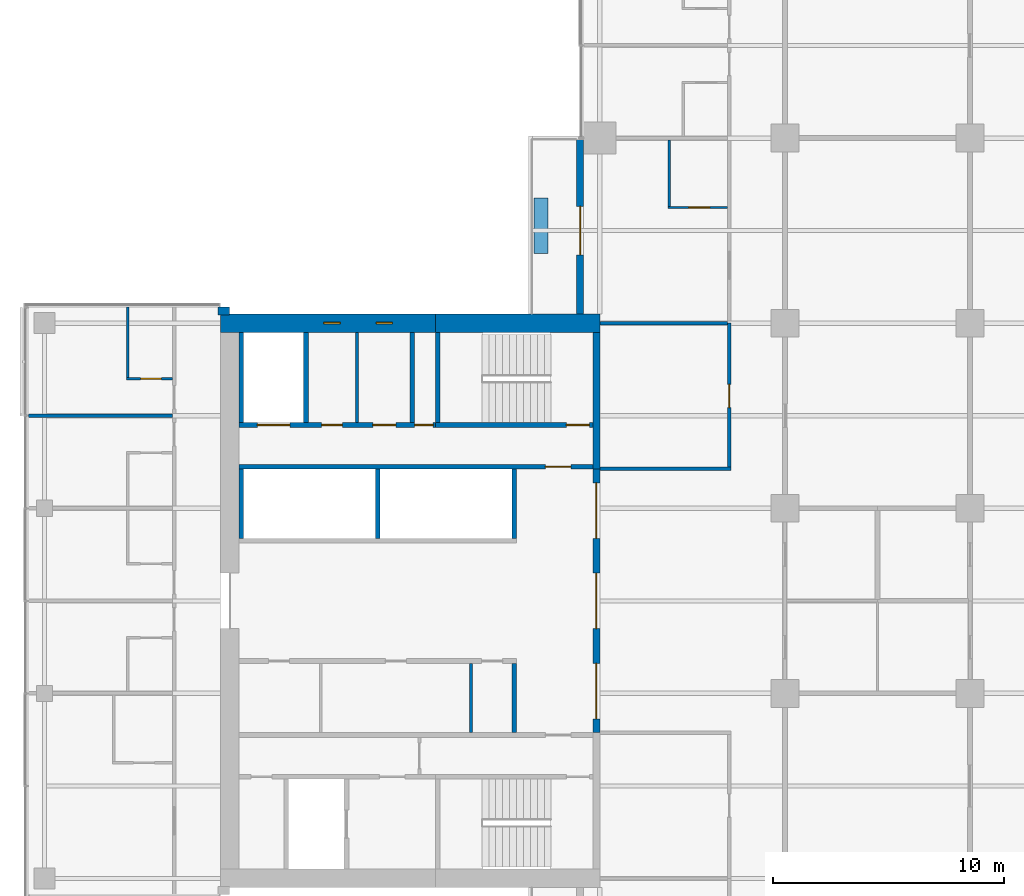
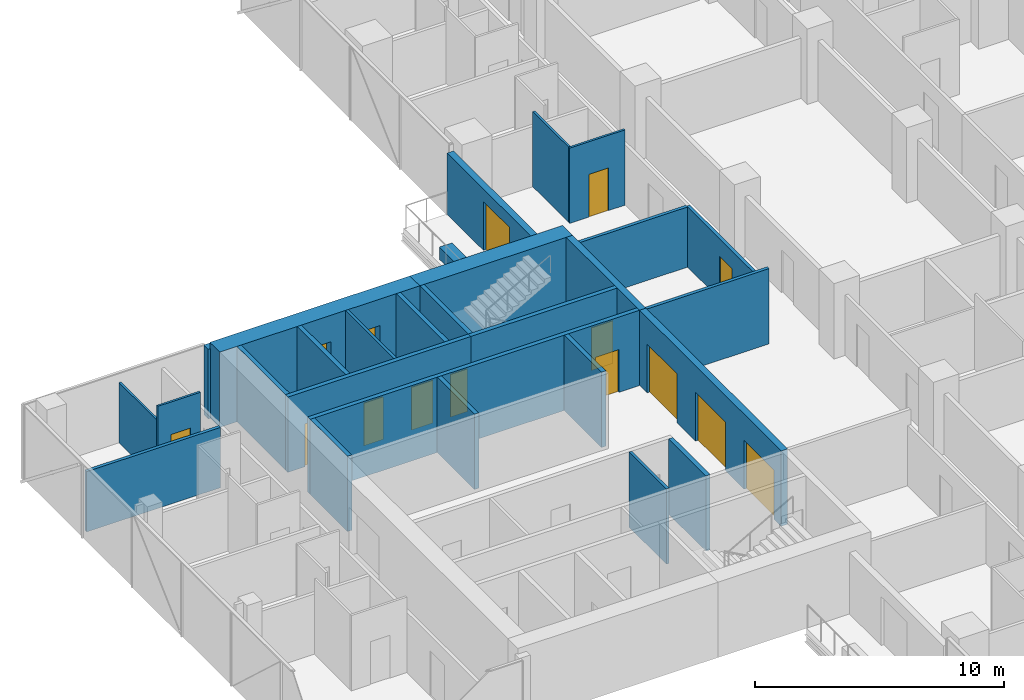
# One storey, part 18 of 27: 28 walls, 13 doors, 2 windows, 15 openings.
"""IFC4 building model written with IfcOpenShell, lengths in metres."""

from ifc_helpers import new_model, si_unit, direction, frame, frame_2d, origin, place, context, subcontext, project, spatial, rectangle, extrude, material, layer, layer_set, constituent, constituent_set, type_object, element, fill, save


model = new_model("IFC4")

# Units and contexts
model_context = context("Model", 3, precision=1e-05, world=origin(), true_north=direction((0.0, 1.0)))
body_context = subcontext(model_context, "Body", "Model", "MODEL_VIEW")
ifc_project = project(units=[si_unit("LENGTHUNIT", "METRE"), si_unit("AREAUNIT", "SQUARE_METRE"), si_unit("VOLUMEUNIT", "CUBIC_METRE"), si_unit("PLANEANGLEUNIT", "RADIAN"), si_unit("MASSUNIT", "GRAM", prefix="KILO")], contexts=[model_context])

# Site, building, storey
site_placement = place(None, origin())
site = spatial("IfcSite", under=ifc_project, at=site_placement, CompositionType="ELEMENT")
building_placement = place(site_placement, origin())
building = spatial("IfcBuilding", under=site, at=building_placement, Name="Crosswind Convention Tower", CompositionType="ELEMENT")
storey_placement = place(building_placement, frame((0.0, 0.0, 90.5)))
storey = spatial("IfcBuildingStorey", under=building, at=storey_placement, Name="L17", CompositionType="ELEMENT", Elevation=90.5)

# Walls
ifc_material_1 = material(Name="Concrete blockwork", Category="masonry")
ifc_layer_1 = layer(ifc_material_1, 0.199951171875)
ifc_layer_set_1 = layer_set([ifc_layer_1], Name="Blockwork partition wall 200")
wall_type_1 = type_object("IfcWallType", Name="Blockwork partition wall 200", PredefinedType="PARTITIONING", material=ifc_layer_set_1)
wall_1_placement = place(storey_placement, frame((104.89990234375, 111.60009765625, 0.0), z_axis=(0.0, 0.0, 1.0), x_axis=(0.0, -1.0, 0.0)))
element("IfcWall", 1, at=wall_1_placement, inside=storey, type_object=wall_type_1, Name="Wall MRSE W L17", PredefinedType="PARTITIONING", context=body_context, shape_type="SweptSolid", body=[
    extrude(rectangle(XDim=3.900146484375, YDim=0.199951171875, at=frame_2d((1.9501953125, 0.0))), origin(), (0.0, 0.0, 1.0), 3.699951171875),
])
ifc_material_2 = material(Name="Plasterboard partition", Category="gypsum")
ifc_layer_2 = layer(ifc_material_2, 0.14990234375)
ifc_layer_set_2 = layer_set([ifc_layer_2], Name="CORRIDOR WALL 150")
wall_type_2 = type_object("IfcWallType", Name="CORRIDOR WALL 150", PredefinedType="PARTITIONING", material=ifc_layer_set_2)
wall_2_placement = place(storey_placement, frame((113.0, 105.699951171875, 0.0), z_axis=(0.0, 0.0, 1.0), x_axis=(1.0, 0.0, 0.0)))
element("IfcWall", 2, at=wall_2_placement, inside=storey, type_object=wall_type_2, Name="Corridor Wall 41", PredefinedType="PARTITIONING", context=body_context, shape_type="SweptSolid", body=[
    extrude(rectangle(XDim=5.675048828125, YDim=0.14990234375, at=frame_2d((2.83740234375, 0.0))), origin(), (0.0, 0.0, 1.0), 3.699951171875),
])

# Wall, opening, door
wall_3_placement = place(storey_placement, frame((118.60009765625, 105.77490234375, 0.0), z_axis=(0.0, 0.0, 1.0), x_axis=(0.0, 1.0, 0.0)))
wall_3 = element("IfcWall", 3, at=wall_3_placement, inside=storey, type_object=wall_type_2, Name="Corridor Wall 81", PredefinedType="PARTITIONING", context=body_context, shape_type="SweptSolid", body=[
    extrude(rectangle(XDim=6.22509765625, YDim=0.14990234375, at=frame_2d((3.112548828125, 0.0))), origin(), (0.0, 0.0, 1.0), 2.956298828125),
])
opening_1_placement = place(wall_3_placement, frame((2.574951171875, 0.0, 0.0)))
opening_1 = element("IfcOpeningElement", 4, at=opening_1_placement, cuts=wall_3, Name="Opening 17.003", PredefinedType="OPENING", context=body_context, shape_type="SweptSolid", body=[
    extrude(rectangle(XDim=1.0, YDim=2.10009765625, at=frame_2d((0.5, 1.050048828125))), frame((0.0, 0.0849609375, 0.0), z_axis=(0.0, -1.0, 0.0), x_axis=(1.0, 0.0, 0.0)), (0.0, 0.0, 1.0), 0.169921875),
])
ifc_material_3 = material(Name="Timber fire door", Category="wood")
door_type_1 = type_object("IfcDoorType", Name="SERVICE ROOM DOOR 1000X2100", OperationType="NOTDEFINED", PredefinedType="DOOR", material=ifc_material_3)
door_1_placement = place(opening_1_placement, origin())
door_1 = element("IfcDoor", 5, at=door_1_placement, inside=storey, type_object=door_type_1, Name="Door 17.003", ObjectType="D3", OperationType="SINGLE_SWING_RIGHT", OverallHeight=2.10009765625, OverallWidth=1.0, PredefinedType="DOOR", context=body_context, shape_type="SweptSolid", body=[
    extrude(rectangle(XDim=1.0, YDim=2.10009765625, at=frame_2d((0.5, 1.050048828125))), frame((0.0, 0.02490234375, 0.0), z_axis=(0.0, -1.0, 0.0), x_axis=(1.0, 0.0, 0.0)), (0.0, 0.0, 1.0), 0.050048828125),
])
fill(opening_1, door_1)

# Wall, openings, doors
ifc_material_4 = material(Name="Concrete C50/60", Category="concrete")
ifc_layer_3 = layer(ifc_material_4, 0.300048828125)
ifc_layer_set_3 = layer_set([ifc_layer_3], Name="Concrete C50/60")
wall_type_3 = type_object("IfcWallType", Name="Concrete inner core wall 300", PredefinedType="SHEAR", material=ifc_layer_set_3)
wall_4_placement = place(storey_placement, frame((112.85009765625, 105.699951171875, 0.0), z_axis=(0.0, 0.0, 1.0), x_axis=(0.0, -1.0, 0.0)))
wall_4 = element("IfcWall", 6, at=wall_4_placement, inside=storey, type_object=wall_type_3, Name="Wall SCR W L17", PredefinedType="SHEAR", context=body_context, shape_type="SweptSolid", body=[
    extrude(rectangle(XDim=11.39990234375, YDim=0.300048828125, at=frame_2d((5.699951171875, 0.0))), origin(), (0.0, 0.0, 1.0), 3.699951171875),
])
opening_2_placement = place(wall_4_placement, frame((0.60009765625, 0.0, 0.0)))
opening_2 = element("IfcOpeningElement", 7, at=opening_2_placement, cuts=wall_4, Name="Opening D100", PredefinedType="OPENING", context=body_context, shape_type="SweptSolid", body=[
    extrude(rectangle(XDim=2.39990234375, YDim=2.39990234375, at=frame_2d((1.199951171875, 1.199951171875))), frame((0.0, 0.159912109375, 0.0), z_axis=(0.0, -1.0, 0.0), x_axis=(1.0, 0.0, 0.0)), (0.0, 0.0, 1.0), 0.320068359375),
])
opening_3_placement = place(wall_4_placement, frame((4.5, 0.0, 0.0)))
opening_3 = element("IfcOpeningElement", 8, at=opening_3_placement, cuts=wall_4, Name="Opening D100", PredefinedType="OPENING", context=body_context, shape_type="SweptSolid", body=[
    extrude(rectangle(XDim=2.39990234375, YDim=2.39990234375, at=frame_2d((1.199951171875, 1.199951171875))), frame((0.0, 0.159912109375, 0.0), z_axis=(0.0, -1.0, 0.0), x_axis=(1.0, 0.0, 0.0)), (0.0, 0.0, 1.0), 0.320068359375),
])
opening_4_placement = place(wall_4_placement, frame((8.39990234375, 0.0, 0.0)))
opening_4 = element("IfcOpeningElement", 9, at=opening_4_placement, cuts=wall_4, Name="Opening D100", PredefinedType="OPENING", context=body_context, shape_type="SweptSolid", body=[
    extrude(rectangle(XDim=2.39990234375, YDim=2.39990234375, at=frame_2d((1.199951171875, 1.199951171875))), frame((0.0, 0.159912109375, 0.0), z_axis=(0.0, -1.0, 0.0), x_axis=(1.0, 0.0, 0.0)), (0.0, 0.0, 1.0), 0.320068359375),
])
ifc_material_5 = material(Name="Steel fire door with glazed vision panels", Category="steel")
door_type_2 = type_object("IfcDoorType", Name="Fire-rated double door 2400x2400", OperationType="DOUBLE_DOOR_SINGLE_SWING", PredefinedType="DOOR", material=ifc_material_5)
door_2_placement = place(opening_2_placement, origin())
door_2 = element("IfcDoor", 10, at=door_2_placement, inside=storey, type_object=door_type_2, Name="Lobby door 1 L17", ObjectType="D100", OperationType="DOUBLE_DOOR_SINGLE_SWING", OverallHeight=2.39990234375, OverallWidth=2.39990234375, PredefinedType="DOOR", context=body_context, shape_type="SweptSolid", body=[
    extrude(rectangle(XDim=2.39990234375, YDim=2.39990234375, at=frame_2d((1.199951171875, 1.199951171875))), frame((0.0, 0.02490234375, 0.0), z_axis=(0.0, -1.0, 0.0), x_axis=(1.0, 0.0, 0.0)), (0.0, 0.0, 1.0), 0.050048828125),
])
fill(opening_2, door_2)
door_3_placement = place(opening_3_placement, origin())
door_3 = element("IfcDoor", 11, at=door_3_placement, inside=storey, type_object=door_type_2, Name="Lobby door 2 L17", ObjectType="D100", OperationType="DOUBLE_DOOR_SINGLE_SWING", OverallHeight=2.39990234375, OverallWidth=2.39990234375, PredefinedType="DOOR", context=body_context, shape_type="SweptSolid", body=[
    extrude(rectangle(XDim=2.39990234375, YDim=2.39990234375, at=frame_2d((1.199951171875, 1.199951171875))), frame((0.0, 0.02490234375, 0.0), z_axis=(0.0, -1.0, 0.0), x_axis=(1.0, 0.0, 0.0)), (0.0, 0.0, 1.0), 0.050048828125),
])
fill(opening_3, door_3)
door_4_placement = place(opening_4_placement, origin())
door_4 = element("IfcDoor", 12, at=door_4_placement, inside=storey, type_object=door_type_2, Name="Lobby door 3 L17", ObjectType="D100", OperationType="DOUBLE_DOOR_SINGLE_SWING", OverallHeight=2.39990234375, OverallWidth=2.39990234375, PredefinedType="DOOR", context=body_context, shape_type="SweptSolid", body=[
    extrude(rectangle(XDim=2.39990234375, YDim=2.39990234375, at=frame_2d((1.199951171875, 1.199951171875))), frame((0.0, 0.02490234375, 0.0), z_axis=(0.0, -1.0, 0.0), x_axis=(1.0, 0.0, 0.0)), (0.0, 0.0, 1.0), 0.050048828125),
])
fill(opening_4, door_4)

# Walls
wall_5_placement = place(storey_placement, frame((112.85009765625, 111.60009765625, 0.0), z_axis=(0.0, 0.0, 1.0), x_axis=(0.0, -1.0, 0.0)))
element("IfcWall", 13, at=wall_5_placement, inside=storey, type_object=wall_type_3, Name="Wall EM W L17", PredefinedType="SHEAR", context=body_context, shape_type="SweptSolid", body=[
    extrude(rectangle(XDim=5.900146484375, YDim=0.300048828125, at=frame_2d((2.9501953125, 0.0))), origin(), (0.0, 0.0, 1.0), 3.699951171875),
])
ifc_layer_4 = layer(ifc_material_4, 0.199951171875)
ifc_layer_set_4 = layer_set([ifc_layer_4], Name="Concrete C50/60")
wall_type_4 = type_object("IfcWallType", Name="Concrete shaft and stair wall 200", PredefinedType="SHEAR", material=ifc_layer_set_4)
for number, where, z_axis, x_axis, name in (
    (14, (109.300048828125, 97.300048828125, 0.0), (0.0, 0.0, 1.0), (0.0, -1.0, 0.0), "Wall RPEND W L17"),
    (15, (109.300048828125, 105.699951171875, 0.0), (0.0, 0.0, 1.0), (0.0, -1.0, 0.0), "Wall RMEND W L17"),
    (16, (103.39990234375, 105.699951171875, 0.0), (0.0, 0.0, 1.0), (0.0, -1.0, 0.0), "Wall RMSEP W L17"),
    (17, (97.5, 105.699951171875, 0.0), (0.0, 0.0, 1.0), (0.0, -1.0, 0.0), "Wall RMEAST W L17"),
):
    element("IfcWall", number, at=place(storey_placement, frame(where, z_axis=z_axis, x_axis=x_axis)), inside=storey, type_object=wall_type_4, Name=name, PredefinedType="SHEAR", context=body_context, shape_type="SweptSolid", body=[
        extrude(rectangle(XDim=3.0, YDim=0.199951171875, at=frame_2d((1.5, 0.0))), origin(), (0.0, 0.0, 1.0), 3.699951171875),
    ])

# Wall, opening, door
wall_6_placement = place(storey_placement, frame((112.699951171875, 105.800048828125, 0.0), z_axis=(0.0, 0.0, 1.0), x_axis=(-1.0, 0.0, 0.0)))
wall_6 = element("IfcWall", 18, at=wall_6_placement, inside=storey, type_object=wall_type_4, Name="Wall HM W L17", PredefinedType="SHEAR", context=body_context, shape_type="SweptSolid", body=[
    extrude(rectangle(XDim=15.300048828125, YDim=0.199951171875, at=frame_2d((7.64990234375, 0.0))), origin(), (0.0, 0.0, 1.0), 3.699951171875),
])
opening_5_placement = place(wall_6_placement, frame((0.949951171875, 0.0, 0.0)))
opening_5 = element("IfcOpeningElement", 19, at=opening_5_placement, cuts=wall_6, Name="Opening D104", PredefinedType="OPENING", context=body_context, shape_type="SweptSolid", body=[
    extrude(rectangle(XDim=1.10009765625, YDim=2.10009765625, at=frame_2d((0.550048828125, 1.050048828125))), frame((0.0, 0.10986328125, 0.0), z_axis=(0.0, -1.0, 0.0), x_axis=(1.0, 0.0, 0.0)), (0.0, 0.0, 1.0), 0.219970703125),
])
ifc_material_6 = material(Name="Steel fire door", Category="steel")
door_type_3 = type_object("IfcDoorType", Name="Fire-rated single door 1100x2100", OperationType="NOTDEFINED", PredefinedType="DOOR", material=ifc_material_6)
door_5_placement = place(opening_5_placement, origin())
door_5 = element("IfcDoor", 20, at=door_5_placement, inside=storey, type_object=door_type_3, Name="Corridor door L17", ObjectType="D104", OperationType="SINGLE_SWING_LEFT", OverallHeight=2.10009765625, OverallWidth=1.10009765625, PredefinedType="DOOR", context=body_context, shape_type="SweptSolid", body=[
    extrude(rectangle(XDim=1.10009765625, YDim=2.10009765625, at=frame_2d((0.550048828125, 1.050048828125))), frame((0.0, 0.02490234375, 0.0), z_axis=(0.0, -1.0, 0.0), x_axis=(1.0, 0.0, 0.0)), (0.0, 0.0, 1.0), 0.050048828125),
])
fill(opening_5, door_5)

# Walls
for number, where, z_axis, x_axis, name in (
    (21, (106.0, 111.60009765625, 0.0), (0.0, 0.0, 1.0), (0.0, -1.0, 0.0), "Wall MSE W L17"),
    (22, (100.300048828125, 111.60009765625, 0.0), (0.0, 0.0, 1.0), (0.0, -1.0, 0.0), "Wall MFSW W L17"),
    (23, (97.5, 111.60009765625, 0.0), (0.0, 0.0, 1.0), (0.0, -1.0, 0.0), "Wall MFSE W L17"),
):
    element("IfcWall", number, at=place(storey_placement, frame(where, z_axis=z_axis, x_axis=x_axis)), inside=storey, type_object=wall_type_4, Name=name, PredefinedType="SHEAR", context=body_context, shape_type="SweptSolid", body=[
        extrude(rectangle(XDim=3.900146484375, YDim=0.199951171875, at=frame_2d((1.9501953125, 0.0))), origin(), (0.0, 0.0, 1.0), 3.699951171875),
    ])

# Wall, opening, door
wall_7_placement = place(storey_placement, frame((112.699951171875, 107.60009765625, 0.0), z_axis=(0.0, 0.0, 1.0), x_axis=(-1.0, 0.0, 0.0)))
wall_7 = element("IfcWall", 24, at=wall_7_placement, inside=storey, type_object=wall_type_4, Name="Wall MCW W L17", PredefinedType="SHEAR", context=body_context, shape_type="SweptSolid", body=[
    extrude(rectangle(XDim=6.800048828125, YDim=0.199951171875, at=frame_2d((3.39990234375, 0.0))), origin(), (0.0, 0.0, 1.0), 3.699951171875),
])
opening_6_placement = place(wall_7_placement, frame((0.14990234375, 0.0, 0.0)))
opening_6 = element("IfcOpeningElement", 25, at=opening_6_placement, cuts=wall_7, Name="Opening D103", PredefinedType="OPENING", context=body_context, shape_type="SweptSolid", body=[
    extrude(rectangle(XDim=1.0, YDim=2.10009765625, at=frame_2d((0.5, 1.050048828125))), frame((0.0, 0.10986328125, 0.0), z_axis=(0.0, -1.0, 0.0), x_axis=(1.0, 0.0, 0.0)), (0.0, 0.0, 1.0), 0.219970703125),
])
door_type_4 = type_object("IfcDoorType", Name="Fire-rated single door 1000x2100", OperationType="NOTDEFINED", PredefinedType="DOOR", material=ifc_material_6)
door_6_placement = place(opening_6_placement, frame((1.0, 0.0, 0.0), z_axis=(0.0, 0.0, 1.0), x_axis=(-1.0, 0.0, 0.0)))
door_6 = element("IfcDoor", 26, at=door_6_placement, inside=storey, type_object=door_type_4, Name="Stair ST4 door L17", ObjectType="D103", OperationType="SINGLE_SWING_RIGHT", OverallHeight=2.10009765625, OverallWidth=1.0, PredefinedType="DOOR", context=body_context, shape_type="SweptSolid", body=[
    extrude(rectangle(XDim=1.0, YDim=2.10009765625, at=frame_2d((0.5, 1.050048828125))), frame((0.0, 0.02490234375, 0.0), z_axis=(0.0, -1.0, 0.0), x_axis=(1.0, 0.0, 0.0)), (0.0, 0.0, 1.0), 0.050048828125),
])
fill(opening_6, door_6)

# Wall, openings, doors
wall_8_placement = place(storey_placement, frame((105.89990234375, 107.60009765625, 0.0), z_axis=(0.0, 0.0, 1.0), x_axis=(-1.0, 0.0, 0.0)))
wall_8 = element("IfcWall", 27, at=wall_8_placement, inside=storey, type_object=wall_type_4, Name="Wall MCX W L17", PredefinedType="SHEAR", context=body_context, shape_type="SweptSolid", body=[
    extrude(rectangle(XDim=8.5, YDim=0.199951171875, at=frame_2d((4.25, 0.0))), origin(), (0.0, 0.0, 1.0), 3.699951171875),
])
opening_7_placement = place(wall_8_placement, frame((0.10009765625, 0.0, 0.0)))
opening_7 = element("IfcOpeningElement", 28, at=opening_7_placement, cuts=wall_8, Name="Opening D105", PredefinedType="OPENING", context=body_context, shape_type="SweptSolid", body=[
    extrude(rectangle(XDim=0.800048828125, YDim=2.10009765625, at=frame_2d((0.39990234375, 1.050048828125))), frame((0.0, 0.10986328125, 0.0), z_axis=(0.0, -1.0, 0.0), x_axis=(1.0, 0.0, 0.0)), (0.0, 0.0, 1.0), 0.219970703125),
])
opening_8_placement = place(wall_8_placement, frame((1.712646484375, 0.0, 0.0)))
opening_8 = element("IfcOpeningElement", 29, at=opening_8_placement, cuts=wall_8, Name="Opening D103", PredefinedType="OPENING", context=body_context, shape_type="SweptSolid", body=[
    extrude(rectangle(XDim=1.0, YDim=2.10009765625, at=frame_2d((0.5, 1.050048828125))), frame((0.0, 0.10986328125, 0.0), z_axis=(0.0, -1.0, 0.0), x_axis=(1.0, 0.0, 0.0)), (0.0, 0.0, 1.0), 0.219970703125),
])
opening_9_placement = place(wall_8_placement, frame((4.025146484375, 0.0, 0.0)))
opening_9 = element("IfcOpeningElement", 30, at=opening_9_placement, cuts=wall_8, Name="Opening D106", PredefinedType="OPENING", context=body_context, shape_type="SweptSolid", body=[
    extrude(rectangle(XDim=0.89990234375, YDim=2.10009765625, at=frame_2d((0.449951171875, 1.050048828125))), frame((0.0, 0.10986328125, 0.0), z_axis=(0.0, -1.0, 0.0), x_axis=(1.0, 0.0, 0.0)), (0.0, 0.0, 1.0), 0.219970703125),
])
opening_10_placement = place(wall_8_placement, frame((6.300048828125, 0.0, 0.0)))
opening_10 = element("IfcOpeningElement", 31, at=opening_10_placement, cuts=wall_8, Name="Opening LD2", PredefinedType="OPENING", context=body_context, shape_type="SweptSolid", body=[
    extrude(rectangle(XDim=1.39990234375, YDim=2.10009765625, at=frame_2d((0.699951171875, 1.050048828125))), frame((0.0, 0.10986328125, 0.0), z_axis=(0.0, -1.0, 0.0), x_axis=(1.0, 0.0, 0.0)), (0.0, 0.0, 1.0), 0.219970703125),
])
door_7_placement = place(opening_8_placement, frame((1.0, 0.0, 0.0), z_axis=(0.0, 0.0, 1.0), x_axis=(-1.0, 0.0, 0.0)))
door_7 = element("IfcDoor", 32, at=door_7_placement, inside=storey, type_object=door_type_4, Name="Door to accessible wc L17", ObjectType="D103", OperationType="SINGLE_SWING_LEFT", OverallHeight=2.10009765625, OverallWidth=1.0, PredefinedType="DOOR", context=body_context, shape_type="SweptSolid", body=[
    extrude(rectangle(XDim=1.0, YDim=2.10009765625, at=frame_2d((0.5, 1.050048828125))), frame((0.0, 0.02490234375, 0.0), z_axis=(0.0, -1.0, 0.0), x_axis=(1.0, 0.0, 0.0)), (0.0, 0.0, 1.0), 0.050048828125),
])
fill(opening_8, door_7)
ifc_material_7 = material(Name="Stainless steel", Category="steel")
door_type_5 = type_object("IfcDoorType", Name="Lift landing door 1400x2100", OperationType="DOUBLE_DOOR_SLIDING", PredefinedType="DOOR", material=ifc_material_7)
door_8_placement = place(opening_10_placement, origin())
door_8 = element("IfcDoor", 33, at=door_8_placement, inside=storey, type_object=door_type_5, Name="Landing door SV2 L17", ObjectType="LD2", OperationType="DOUBLE_DOOR_SLIDING", OverallHeight=2.10009765625, OverallWidth=1.39990234375, PredefinedType="DOOR", context=body_context, shape_type="SweptSolid", body=[
    extrude(rectangle(XDim=1.39990234375, YDim=2.10009765625, at=frame_2d((0.699951171875, 1.050048828125))), frame((0.0, 0.02490234375, 0.0), z_axis=(0.0, -1.0, 0.0), x_axis=(1.0, 0.0, 0.0)), (0.0, 0.0, 1.0), 0.050048828125),
])
fill(opening_10, door_8)
door_type_6 = type_object("IfcDoorType", Name="Riser access door 800x2100", OperationType="NOTDEFINED", PredefinedType="DOOR", material=ifc_material_6)
door_9_placement = place(opening_7_placement, frame((0.800048828125, 0.0, 0.0), z_axis=(0.0, 0.0, 1.0), x_axis=(-1.0, 0.0, 0.0)))
door_9 = element("IfcDoor", 34, at=door_9_placement, inside=storey, type_object=door_type_6, Name="Riser door L17", ObjectType="D105", OperationType="SINGLE_SWING_LEFT", OverallHeight=2.10009765625, OverallWidth=0.800048828125, PredefinedType="DOOR", context=body_context, shape_type="SweptSolid", body=[
    extrude(rectangle(XDim=0.800048828125, YDim=2.10009765625, at=frame_2d((0.39990234375, 1.050048828125))), frame((0.0, 0.02490234375, 0.0), z_axis=(0.0, -1.0, 0.0), x_axis=(1.0, 0.0, 0.0)), (0.0, 0.0, 1.0), 0.050048828125),
])
fill(opening_7, door_9)
ifc_material_8 = material(Name="Timber door", Category="wood")
door_type_7 = type_object("IfcDoorType", Name="Single leaf door 900x2100", OperationType="NOTDEFINED", PredefinedType="DOOR", material=ifc_material_8)
door_10_placement = place(opening_9_placement, frame((0.89990234375, 0.0, 0.0), z_axis=(0.0, 0.0, 1.0), x_axis=(-1.0, 0.0, 0.0)))
door_10 = element("IfcDoor", 35, at=door_10_placement, inside=storey, type_object=door_type_7, Name="Door to wc L17", ObjectType="D106", OperationType="SINGLE_SWING_LEFT", OverallHeight=2.10009765625, OverallWidth=0.89990234375, PredefinedType="DOOR", context=body_context, shape_type="SweptSolid", body=[
    extrude(rectangle(XDim=0.89990234375, YDim=2.10009765625, at=frame_2d((0.449951171875, 1.050048828125))), frame((0.0, 0.02490234375, 0.0), z_axis=(0.0, -1.0, 0.0), x_axis=(1.0, 0.0, 0.0)), (0.0, 0.0, 1.0), 0.050048828125),
])
fill(opening_9, door_10)

# Walls
ifc_material_9 = material(Name="Gypsum plasterboard partition", Category="gypsum")
ifc_layer_5 = layer(ifc_material_9, 0.125)
ifc_layer_set_5 = layer_set([ifc_layer_5], Name="Drywall partition wall 125")
wall_type_5 = type_object("IfcWallType", Name="Drywall partition wall 125", PredefinedType="PARTITIONING", material=ifc_layer_set_5)
wall_9_placement = place(storey_placement, frame((107.429931640625, 97.300048828125, 0.0), z_axis=(0.0, 0.0, 1.0), x_axis=(0.0, -1.0, 0.0)))
element("IfcWall", 36, at=wall_9_placement, inside=storey, type_object=wall_type_5, Name="Wall RPP1 W L17", PredefinedType="PARTITIONING", context=body_context, shape_type="SweptSolid", body=[
    extrude(rectangle(XDim=3.0, YDim=0.125, at=frame_2d((1.5, 0.0))), origin(), (0.0, 0.0, 1.0), 3.699951171875),
])
wall_10_placement = place(storey_placement, frame((102.511962890625, 111.60009765625, 0.0), z_axis=(0.0, 0.0, 1.0), x_axis=(0.0, -1.0, 0.0)))
element("IfcWall", 37, at=wall_10_placement, inside=storey, type_object=wall_type_5, Name="Wall MWP1 W L17", PredefinedType="PARTITIONING", context=body_context, shape_type="SweptSolid", body=[
    extrude(rectangle(XDim=3.900146484375, YDim=0.125, at=frame_2d((1.9501953125, 0.0))), origin(), (0.0, 0.0, 1.0), 3.699951171875),
])
ifc_material_10 = material(Name="Acoustic plasterboard partition", Category="gypsum")
ifc_layer_6 = layer(ifc_material_10, 0.14990234375)
ifc_layer_set_6 = layer_set([ifc_layer_6], Name="GUEST ROOM WALL 150")
wall_type_6 = type_object("IfcWallType", Name="GUEST ROOM WALL 150", PredefinedType="PARTITIONING", material=ifc_layer_set_6)
wall_11_placement = place(storey_placement, frame((88.300048828125, 108.0, 0.0), z_axis=(0.0, 0.0, 1.0), x_axis=(1.0, 0.0, 0.0)))
element("IfcWall", 38, at=wall_11_placement, inside=storey, type_object=wall_type_6, Name="Guest Room Wall 44", PredefinedType="PARTITIONING", context=body_context, shape_type="SweptSolid", body=[
    extrude(rectangle(XDim=6.224853515625, YDim=0.14990234375, at=frame_2d((3.1123046875, 0.0))), origin(), (0.0, 0.0, 1.0), 2.962890625),
])
wall_12_placement = place(storey_placement, frame((113.0, 112.0, 0.0), z_axis=(0.0, 0.0, 1.0), x_axis=(1.0, 0.0, 0.0)))
element("IfcWall", 39, at=wall_12_placement, inside=storey, type_object=wall_type_6, Name="Guest Room Wall 48", PredefinedType="PARTITIONING", context=body_context, shape_type="SweptSolid", body=[
    extrude(rectangle(XDim=5.52490234375, YDim=0.14990234375, at=frame_2d((2.762451171875, 0.0))), origin(), (0.0, 0.0, 1.0), 2.956298828125),
])
ifc_material_11 = material(Name="Concrete C30/37", Category="concrete")
ifc_layer_7 = layer(ifc_material_11, 0.60009765625)
ifc_layer_set_7 = layer_set([ifc_layer_7], Name="Concrete C30/37")
wall_type_7 = type_object("IfcWallType", Name="PLANTER BOX WALL 600", PredefinedType="SOLIDWALL", material=ifc_layer_set_7)
wall_13_placement = place(storey_placement, frame((110.449951171875, 117.39990234375, 0.0), z_axis=(0.0, 0.0, 1.0), x_axis=(0.0, -1.0, 0.0)))
element("IfcWall", 40, at=wall_13_placement, inside=storey, type_object=wall_type_7, Name="PLANTER L17 N-W.1-3", PredefinedType="SOLIDWALL", context=body_context, shape_type="SweptSolid", body=[
    extrude(rectangle(XDim=2.39990234375, YDim=0.60009765625, at=frame_2d((1.199951171875, 0.0))), origin(), (0.0, 0.0, 1.0), 0.60009765625),
])
ifc_material_12 = material(Name="Terracotta rainscreen", Category="ceramic")
ifc_layer_8 = layer(ifc_material_12, 0.02001953125)
ifc_material_13 = material(Name="Mineral wool insulation", Category="insulation")
ifc_layer_9 = layer(ifc_material_13, 0.10009765625)
ifc_layer_10 = layer(ifc_material_1, 0.236083984375)
ifc_layer_set_8 = layer_set([ifc_layer_8, ifc_layer_9, ifc_layer_10], Name="TERRACOTTA CORNER INFILL WALL 356")
wall_type_8 = type_object("IfcWallType", Name="TERRACOTTA CORNER INFILL WALL 356", PredefinedType="SOLIDWALL", material=ifc_layer_set_8)
wall_14_placement = place(storey_placement, frame((96.4951171875, 112.52197265625, 0.0), z_axis=(0.0, 0.0, 1.0), x_axis=(1.0, 0.0, 0.0)))
element("IfcWall", 41, at=wall_14_placement, inside=storey, type_object=wall_type_8, Name="Core corner infill wall L17 2", PredefinedType="SOLIDWALL", context=body_context, shape_type="SweptSolid", body=[
    extrude(rectangle(XDim=0.5048828125, YDim=0.35595703125, at=frame_2d((0.25244140625, 0.0))), origin(), (0.0, 0.0, 1.0), 3.419921875),
])

# Wall, opening, door
ifc_layer_11 = layer(ifc_material_12, 0.02001953125)
ifc_layer_12 = layer(ifc_material_13, 0.10009765625)
ifc_layer_13 = layer(ifc_material_1, 0.179931640625)
ifc_layer_set_9 = layer_set([ifc_layer_11, ifc_layer_12, ifc_layer_13], Name="TERRACOTTA INFILL WALL 300")
wall_type_9 = type_object("IfcWallType", Name="TERRACOTTA INFILL WALL 300", PredefinedType="SOLIDWALL", material=ifc_layer_set_9)
wall_15_placement = place(storey_placement, frame((112.14990234375, 119.967529296875, 0.0), z_axis=(0.0, 0.0, 1.0), x_axis=(0.0, -1.0, 0.0)))
wall_15 = element("IfcWall", 42, at=wall_15_placement, inside=storey, type_object=wall_type_9, Name="Notch front wall L17 N-W.1-3", PredefinedType="SOLIDWALL", context=body_context, shape_type="SweptSolid", body=[
    extrude(rectangle(XDim=7.567626953125, YDim=0.300048828125, at=frame_2d((3.78369140625, 0.0))), origin(), (0.0, 0.0, 1.0), 3.013671875),
])
opening_11_placement = place(wall_15_placement, frame((2.91748046875, 0.0, 0.0)))
opening_11 = element("IfcOpeningElement", 43, at=opening_11_placement, cuts=wall_15, Name="Opening D141", PredefinedType="OPENING", context=body_context, shape_type="SweptSolid", body=[
    extrude(rectangle(XDim=2.10009765625, YDim=2.39990234375, at=frame_2d((1.050048828125, 1.199951171875))), frame((0.0, 0.159912109375, 0.0), z_axis=(0.0, -1.0, 0.0), x_axis=(1.0, 0.0, 0.0)), (0.0, 0.0, 1.0), 0.320068359375),
])
ifc_material_14 = material(Name="Aluminium glazed door", Category="aluminium")
door_type_8 = type_object("IfcDoorType", Name="BALCONY SLIDING DOOR 2100X2400", OperationType="SLIDING_TO_LEFT", PredefinedType="DOOR", material=ifc_material_14)
door_11_placement = place(opening_11_placement, frame((2.10009765625, 0.0, 0.0), z_axis=(0.0, 0.0, 1.0), x_axis=(-1.0, 0.0, 0.0)))
door_11 = element("IfcDoor", 44, at=door_11_placement, inside=storey, type_object=door_type_8, Name="D141 balcony door L17 N-W.1-3", ObjectType="D141", OperationType="SLIDING_TO_LEFT", OverallHeight=2.39990234375, OverallWidth=2.10009765625, PredefinedType="DOOR", context=body_context, shape_type="SweptSolid", body=[
    extrude(rectangle(XDim=2.10009765625, YDim=2.39990234375, at=frame_2d((1.050048828125, 1.199951171875))), frame((0.0, 0.02490234375, 0.0), z_axis=(0.0, -1.0, 0.0), x_axis=(1.0, 0.0, 0.0)), (0.0, 0.0, 1.0), 0.050048828125),
])
fill(opening_11, door_11)

# Wall
ifc_material_15 = material(Name="Concrete C60/75", Category="concrete")
ifc_constituent_1 = constituent(ifc_material_15, Name="Structure")
ifc_constituent_2 = constituent(ifc_material_12, Name="Facing")
ifc_constituent_set = constituent_set(constituents=[ifc_constituent_1, ifc_constituent_2], Name="Concrete C60/75, Terracotta rainscreen")
wall_type_10 = type_object("IfcWallType", Name="Terracotta rainscreen on concrete core wall 800", PredefinedType="SHEAR", material=ifc_constituent_set)
wall_16_placement = place(storey_placement, frame((113.0, 112.0, 0.0), z_axis=(0.0, 0.0, 1.0), x_axis=(-1.0, 0.0, 0.0)))
element("IfcWall", 45, at=wall_16_placement, inside=storey, type_object=wall_type_10, Name="Wall S1 W L17", PredefinedType="SHEAR", context=body_context, shape_type="SweptSolid", body=[
    extrude(rectangle(XDim=7.10009765625, YDim=0.800048828125, at=frame_2d((3.550048828125, 0.0))), origin(), (0.0, 0.0, 1.0), 3.699951171875),
])

# Wall, openings, windows
wall_17_placement = place(storey_placement, frame((105.89990234375, 112.0, 0.0), z_axis=(0.0, 0.0, 1.0), x_axis=(-1.0, 0.0, 0.0)))
wall_17 = element("IfcWall", 46, at=wall_17_placement, inside=storey, type_object=wall_type_10, Name="Wall S2 W L17", PredefinedType="SHEAR", context=body_context, shape_type="SweptSolid", body=[
    extrude(rectangle(XDim=9.2998046875, YDim=0.800048828125, at=frame_2d((4.64990234375, 0.0))), origin(), (0.0, 0.0, 1.0), 3.699951171875),
])
opening_12_placement = place(wall_17_placement, frame((1.86279296875, 0.0, 1.5)))
opening_12 = element("IfcOpeningElement", 47, at=opening_12_placement, cuts=wall_17, Name="Opening W2", PredefinedType="OPENING", context=body_context, shape_type="SweptSolid", body=[
    extrude(rectangle(XDim=0.699951171875, YDim=0.89990234375, at=frame_2d((0.35009765625, 0.449951171875))), frame((0.0, 0.409912109375, 0.0), z_axis=(0.0, -1.0, 0.0), x_axis=(1.0, 0.0, 0.0)), (0.0, 0.0, 1.0), 0.820068359375),
])
opening_13_placement = place(wall_17_placement, frame((4.125244140625, 0.0, 1.5)))
opening_13 = element("IfcOpeningElement", 48, at=opening_13_placement, cuts=wall_17, Name="Opening W2", PredefinedType="OPENING", context=body_context, shape_type="SweptSolid", body=[
    extrude(rectangle(XDim=0.699951171875, YDim=0.89990234375, at=frame_2d((0.35009765625, 0.449951171875))), frame((0.0, 0.409912109375, 0.0), z_axis=(0.0, -1.0, 0.0), x_axis=(1.0, 0.0, 0.0)), (0.0, 0.0, 1.0), 0.820068359375),
])
ifc_material_16 = material(Name="Obscure glass in aluminium frame", Category="aluminium")
window_type = type_object("IfcWindowType", Name="WC window 700x900", PartitioningType="SINGLE_PANEL", PredefinedType="WINDOW", material=ifc_material_16)
window_1_placement = place(opening_12_placement, origin())
window_1 = element("IfcWindow", 49, at=window_1_placement, inside=storey, type_object=window_type, Name="WC window L17", ObjectType="W2", OverallHeight=0.89990234375, OverallWidth=0.699951171875, PartitioningType="SINGLE_PANEL", PredefinedType="WINDOW", context=body_context, shape_type="SweptSolid", body=[
    extrude(rectangle(XDim=0.699951171875, YDim=0.89990234375, at=frame_2d((0.35009765625, 0.449951171875))), frame((0.0, 0.030029296875, 0.0), z_axis=(0.0, -1.0, 0.0), x_axis=(1.0, 0.0, 0.0)), (0.0, 0.0, 1.0), 0.06005859375),
])
fill(opening_12, window_1)
window_2_placement = place(opening_13_placement, origin())
window_2 = element("IfcWindow", 50, at=window_2_placement, inside=storey, type_object=window_type, Name="WC window L17", ObjectType="W2", OverallHeight=0.89990234375, OverallWidth=0.699951171875, PartitioningType="SINGLE_PANEL", PredefinedType="WINDOW", context=body_context, shape_type="SweptSolid", body=[
    extrude(rectangle(XDim=0.699951171875, YDim=0.89990234375, at=frame_2d((0.35009765625, 0.449951171875))), frame((0.0, 0.030029296875, 0.0), z_axis=(0.0, -1.0, 0.0), x_axis=(1.0, 0.0, 0.0)), (0.0, 0.0, 1.0), 0.06005859375),
])
fill(opening_13, window_2)

# Wall, opening, door
ifc_material_17 = material(Name="Water-resistant plasterboard partition", Category="gypsum")
ifc_layer_14 = layer(ifc_material_17, 0.10009765625)
ifc_layer_set_10 = layer_set([ifc_layer_14], Name="WET ROOM PARTITION 100")
wall_type_11 = type_object("IfcWallType", Name="WET ROOM PARTITION 100", PredefinedType="PLUMBINGWALL", material=ifc_layer_set_10)
wall_18_placement = place(storey_placement, frame((92.550048828125, 109.60009765625, 0.0), z_axis=(0.0, 0.0, 1.0), x_axis=(1.0, 0.0, 0.0)))
wall_18 = element("IfcWall", 51, at=wall_18_placement, inside=storey, type_object=wall_type_11, Name="Wet Room Partition 46", PredefinedType="PLUMBINGWALL", context=body_context, shape_type="SweptSolid", body=[
    extrude(rectangle(XDim=1.974853515625, YDim=0.10009765625, at=frame_2d((0.9873046875, 0.0))), origin(), (0.0, 0.0, 1.0), 3.699951171875),
])
opening_14_placement = place(wall_18_placement, frame((0.60009765625, 0.0, 0.0)))
opening_14 = element("IfcOpeningElement", 52, at=opening_14_placement, cuts=wall_18, Name="Opening 17.049", PredefinedType="OPENING", context=body_context, shape_type="SweptSolid", body=[
    extrude(rectangle(XDim=0.89990234375, YDim=2.10009765625, at=frame_2d((0.449951171875, 1.050048828125))), frame((0.0, 0.06005859375, 0.0), z_axis=(0.0, -1.0, 0.0), x_axis=(1.0, 0.0, 0.0)), (0.0, 0.0, 1.0), 0.1201171875),
])
door_type_9 = type_object("IfcDoorType", Name="EN-SUITE DOOR 900X2100", OperationType="NOTDEFINED", PredefinedType="DOOR", material=ifc_material_8)
door_12_placement = place(opening_14_placement, origin())
door_12 = element("IfcDoor", 53, at=door_12_placement, inside=storey, type_object=door_type_9, Name="Door 17.049", ObjectType="D2", OperationType="SINGLE_SWING_RIGHT", OverallHeight=2.10009765625, OverallWidth=0.89990234375, PredefinedType="DOOR", context=body_context, shape_type="SweptSolid", body=[
    extrude(rectangle(XDim=0.89990234375, YDim=2.10009765625, at=frame_2d((0.449951171875, 1.050048828125))), frame((0.0, 0.02490234375, 0.0), z_axis=(0.0, -1.0, 0.0), x_axis=(1.0, 0.0, 0.0)), (0.0, 0.0, 1.0), 0.050048828125),
])
fill(opening_14, door_12)

wall_19_placement = place(storey_placement, frame((115.949951171875, 117.0, 0.0), z_axis=(0.0, 0.0, 1.0), x_axis=(1.0, 0.0, 0.0)))
wall_19 = element("IfcWall", 54, at=wall_19_placement, inside=storey, type_object=wall_type_11, Name="Wet Room Partition 50", PredefinedType="PLUMBINGWALL", context=body_context, shape_type="SweptSolid", body=[
    extrude(rectangle(XDim=2.574951171875, YDim=0.10009765625, at=frame_2d((1.28759765625, 0.0))), origin(), (0.0, 0.0, 1.0), 3.699951171875),
])
opening_15_placement = place(wall_19_placement, frame((0.89990234375, 0.0, 0.0)))
opening_15 = element("IfcOpeningElement", 55, at=opening_15_placement, cuts=wall_19, Name="Opening 17.011", PredefinedType="OPENING", context=body_context, shape_type="SweptSolid", body=[
    extrude(rectangle(XDim=0.89990234375, YDim=2.10009765625, at=frame_2d((0.449951171875, 1.050048828125))), frame((0.0, 0.06005859375, 0.0), z_axis=(0.0, -1.0, 0.0), x_axis=(1.0, 0.0, 0.0)), (0.0, 0.0, 1.0), 0.1201171875),
])
door_13_placement = place(opening_15_placement, origin())
door_13 = element("IfcDoor", 56, at=door_13_placement, inside=storey, type_object=door_type_9, Name="Door 17.011", ObjectType="D2", OperationType="SINGLE_SWING_RIGHT", OverallHeight=2.10009765625, OverallWidth=0.89990234375, PredefinedType="DOOR", context=body_context, shape_type="SweptSolid", body=[
    extrude(rectangle(XDim=0.89990234375, YDim=2.10009765625, at=frame_2d((0.449951171875, 1.050048828125))), frame((0.0, 0.02490234375, 0.0), z_axis=(0.0, -1.0, 0.0), x_axis=(1.0, 0.0, 0.0)), (0.0, 0.0, 1.0), 0.050048828125),
])
fill(opening_15, door_13)

# Walls
wall_20_placement = place(storey_placement, frame((92.60009765625, 109.64990234375, 0.0), z_axis=(0.0, 0.0, 1.0), x_axis=(0.0, 1.0, 0.0)))
element("IfcWall", 57, at=wall_20_placement, inside=storey, type_object=wall_type_11, Name="Wet Room Partition 70", PredefinedType="PLUMBINGWALL", context=body_context, shape_type="SweptSolid", body=[
    extrude(rectangle(XDim=3.050048828125, YDim=0.10009765625, at=frame_2d((1.52490234375, 0.0))), origin(), (0.0, 0.0, 1.0), 2.962890625),
])
wall_21_placement = place(storey_placement, frame((116.0, 117.050048828125, 0.0), z_axis=(0.0, 0.0, 1.0), x_axis=(0.0, 1.0, 0.0)))
element("IfcWall", 58, at=wall_21_placement, inside=storey, type_object=wall_type_11, Name="Wet Room Partition 73", PredefinedType="PLUMBINGWALL", context=body_context, shape_type="SweptSolid", body=[
    extrude(rectangle(XDim=2.875, YDim=0.10009765625, at=frame_2d((1.4375, 0.0))), origin(), (0.0, 0.0, 1.0), 3.699951171875),
])

save(model, "model.ifc")
